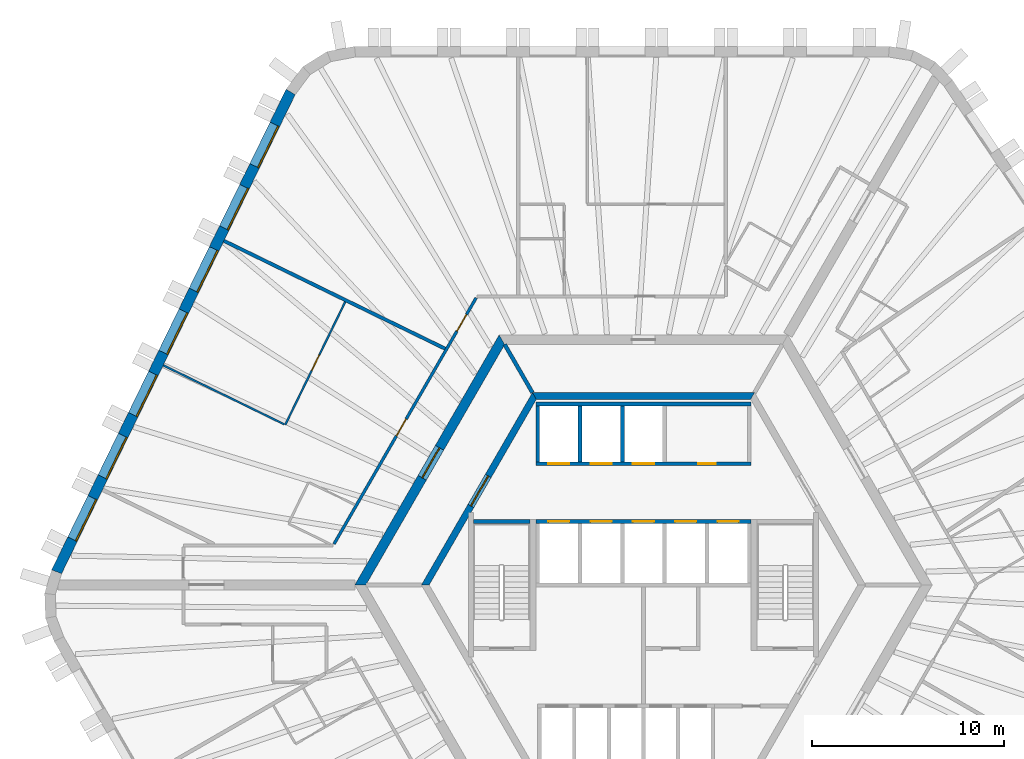
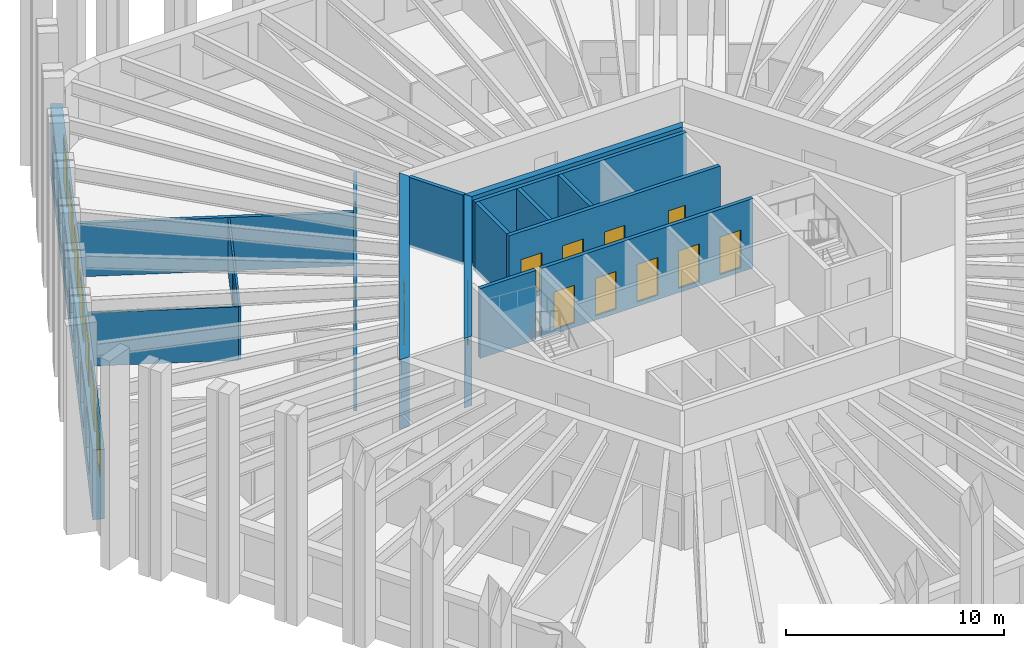
# One storey, part 7 of 10: 16 walls, 14 doors, 7 windows, 21 openings.
"""IFC4 building model written with IfcOpenShell, lengths in metres."""

from ifc_helpers import new_model, si_unit, direction, frame, frame_2d, origin, place, context, subcontext, project, spatial, polyline, rectangle, outline, extrude, material, layer, layer_set, type_object, element, fill, save


model = new_model("IFC4")

# Units and contexts
model_context = context("Model", 3, precision=1e-05, world=origin(), true_north=direction((0.0, 1.0)))
body_context = subcontext(model_context, "Body", "Model", "MODEL_VIEW")
ifc_project = project(units=[si_unit("LENGTHUNIT", "METRE"), si_unit("AREAUNIT", "SQUARE_METRE"), si_unit("VOLUMEUNIT", "CUBIC_METRE"), si_unit("PLANEANGLEUNIT", "RADIAN"), si_unit("MASSUNIT", "GRAM", prefix="KILO")], contexts=[model_context])

# Site, building, storey
site_placement = place(None, origin())
site = spatial("IfcSite", under=ifc_project, at=site_placement, CompositionType="ELEMENT")
building_placement = place(site_placement, origin())
building = spatial("IfcBuilding", under=site, at=building_placement, Name="Tarnside Tower", CompositionType="ELEMENT")
storey_placement = place(building_placement, frame((0.0, 0.0, 195.60009765625)))
storey = spatial("IfcBuildingStorey", under=building, at=storey_placement, Name="L46", CompositionType="ELEMENT", Elevation=195.60009765625)

# Wall, opening, door
ifc_material_1 = material(Name="Concrete C50/60", Category="concrete")
ifc_layer_1 = layer(ifc_material_1, 0.35009765625)
ifc_layer_set_1 = layer_set([ifc_layer_1], Name="Core block wall 350 C50/60")
wall_type_1 = type_object("IfcWallType", Name="Core block wall 350 C50/60", PredefinedType="SHEAR", material=ifc_layer_set_1)
wall_1_placement = place(storey_placement, frame((-5.672607421875, 9.824951171875, -0.150146484375), z_axis=(0.0, 0.0, 1.0), x_axis=(-0.499995046907, -0.866028263435, 0.0)))
wall_1 = element("IfcWall", 1, at=wall_1_placement, inside=storey, type_object=wall_type_1, Name="L46 core block wall face 2", PredefinedType="SHEAR", context=body_context, shape_type="SweptSolid", body=[
    extrude(outline(polyline([(-0.10107421875, -0.175048828125), (11.44580078125, -0.175048828125), (11.24365234375, 0.175048828125), (0.10107421875, 0.175048828125), (-0.10107421875, -0.175048828125)])), origin(), (0.0, 0.0, 1.0), 3.900146484375),
])
opening_1_placement = place(wall_1_placement, frame((4.80126953125, 0.0, 0.14990234375)))
opening_1 = element("IfcOpeningElement", 2, at=opening_1_placement, cuts=wall_1, Name="Opening CD-LOB", PredefinedType="OPENING", context=body_context, shape_type="SweptSolid", body=[
    extrude(rectangle(XDim=1.800048828125, YDim=2.39990234375, at=frame_2d((0.89990234375, 1.199951171875))), frame((0.0, 0.18505859375, 0.0), z_axis=(0.0, -1.0, 0.0), x_axis=(1.0, 0.0, 0.0)), (0.0, 0.0, 1.0), 0.3701171875),
])
ifc_material_2 = material(Name="Steel fire door", Category="steel")
door_type_1 = type_object("IfcDoorType", Name="Lobby double door FD30S 1800x2400", OperationType="NOTDEFINED", PredefinedType="DOOR", material=ifc_material_2)
door_1_placement = place(opening_1_placement, origin())
door_1 = element("IfcDoor", 3, at=door_1_placement, inside=storey, type_object=door_type_1, Name="L46 lobby block door P1", OperationType="DOUBLE_DOOR_SINGLE_SWING", OverallHeight=2.39990234375, OverallWidth=1.800048828125, PredefinedType="DOOR", context=body_context, shape_type="SweptSolid", body=[
    extrude(rectangle(XDim=1.800048828125, YDim=2.39990234375, at=frame_2d((0.89990234375, 1.199951171875))), frame((0.0, 0.02490234375, 0.0), z_axis=(0.0, -1.0, 0.0), x_axis=(1.0, 0.0, 0.0)), (0.0, 0.0, 1.0), 0.050048828125),
])
fill(opening_1, door_1)

# Wall
wall_2_placement = place(storey_placement, frame((5.672607421875, 9.824951171875, -0.150146484375), z_axis=(0.0, 0.0, 1.0), x_axis=(-1.0, 0.0, 0.0)))
element("IfcWall", 4, at=wall_2_placement, inside=storey, type_object=wall_type_1, Name="L46 core block wall face 1", PredefinedType="SHEAR", context=body_context, shape_type="SweptSolid", body=[
    extrude(outline(polyline([(-0.10107421875, -0.175048828125), (11.4462890625, -0.175048828125), (11.244140625, 0.175048828125), (0.10107421875, 0.175048828125), (-0.10107421875, -0.175048828125)])), origin(), (0.0, 0.0, 1.0), 3.900146484375),
])

# Wall, opening, door
ifc_material_3 = material(Name="Concrete C70/85", Category="concrete")
ifc_layer_2 = layer(ifc_material_3, 0.5)
ifc_layer_set_2 = layer_set([ifc_layer_2], Name="Core wall Z2 500 C70/85")
wall_type_2 = type_object("IfcWallType", Name="Core wall Z2 500 C70/85", PredefinedType="SHEAR", material=ifc_layer_set_2)
wall_3_placement = place(storey_placement, frame((-7.361083984375, 12.75, -0.150146484375), z_axis=(0.0, 0.0, 1.0), x_axis=(-0.50000571537, -0.866022103989, 0.0)))
wall_3 = element("IfcWall", 5, at=wall_3_placement, inside=storey, type_object=wall_type_2, Name="L46 core wall face 2", PredefinedType="SHEAR", context=body_context, shape_type="SweptSolid", body=[
    extrude(outline(polyline([(-0.144287109375, -0.25), (14.86669921875, -0.25), (14.578125, 0.25), (0.144287109375, 0.25), (-0.144287109375, -0.25)])), origin(), (0.0, 0.0, 1.0), 3.900146484375),
])
opening_2_placement = place(wall_3_placement, frame((6.489990234375, 0.0, 0.14990234375)))
opening_2 = element("IfcOpeningElement", 6, at=opening_2_placement, cuts=wall_3, Name="Opening CD-LOB", PredefinedType="OPENING", context=body_context, shape_type="SweptSolid", body=[
    extrude(rectangle(XDim=1.800048828125, YDim=2.39990234375, at=frame_2d((0.89990234375, 1.199951171875))), frame((0.0, 0.260009765625, 0.0), z_axis=(0.0, -1.0, 0.0), x_axis=(1.0, 0.0, 0.0)), (0.0, 0.0, 1.0), 0.52001953125),
])
door_2_placement = place(opening_2_placement, origin())
door_2 = element("IfcDoor", 7, at=door_2_placement, inside=storey, type_object=door_type_1, Name="L46 core door P1", OperationType="DOUBLE_DOOR_SINGLE_SWING", OverallHeight=2.39990234375, OverallWidth=1.800048828125, PredefinedType="DOOR", context=body_context, shape_type="SweptSolid", body=[
    extrude(rectangle(XDim=1.800048828125, YDim=2.39990234375, at=frame_2d((0.89990234375, 1.199951171875))), frame((0.0, 0.02490234375, 0.0), z_axis=(0.0, -1.0, 0.0), x_axis=(1.0, 0.0, 0.0)), (0.0, 0.0, 1.0), 0.050048828125),
])
fill(opening_2, door_2)

# Wall, openings, doors
ifc_material_4 = material(Name="Gypsum board partition on steel studs", Category="steel")
ifc_layer_3 = layer(ifc_material_4, 0.14990234375)
ifc_layer_set_3 = layer_set([ifc_layer_3], Name="Corridor wall 150 EI 60")
wall_type_3 = type_object("IfcWallType", Name="Corridor wall 150 EI 60", PredefinedType="PARTITIONING", material=ifc_layer_set_3)
wall_4_placement = place(storey_placement, frame((-8.70361328125, 14.925048828125, 0.0), z_axis=(0.0, 0.0, 1.0), x_axis=(-0.500001272756, -0.866024668957, 0.0)))
wall_4 = element("IfcWall", 8, at=wall_4_placement, inside=storey, type_object=wall_type_3, Name="Corridor wall 15009", PredefinedType="PARTITIONING", context=body_context, shape_type="SweptSolid", body=[
    extrude(rectangle(XDim=14.7802734375, YDim=0.14990234375, at=frame_2d((7.39013671875, 0.0))), origin(), (0.0, 0.0, 1.0), 2.98779296875),
])
opening_3_placement = place(wall_4_placement, frame((1.0009765625, 0.0, 0.0)))
opening_3 = element("IfcOpeningElement", 9, at=opening_3_placement, cuts=wall_4, Name="Opening D-E1", PredefinedType="OPENING", context=body_context, shape_type="SweptSolid", body=[
    extrude(rectangle(XDim=1.0, YDim=2.10009765625, at=frame_2d((0.5, 1.050048828125))), frame((0.0, 0.0849609375, 0.0), z_axis=(0.0, -1.0, 0.0), x_axis=(1.0, 0.0, 0.0)), (0.0, 0.0, 1.0), 0.169921875),
])
opening_4_placement = place(wall_4_placement, frame((7.28076171875, 0.0, 0.0)))
opening_4 = element("IfcOpeningElement", 10, at=opening_4_placement, cuts=wall_4, Name="Opening D-E1", PredefinedType="OPENING", context=body_context, shape_type="SweptSolid", body=[
    extrude(rectangle(XDim=1.0, YDim=2.10009765625, at=frame_2d((0.5, 1.050048828125))), frame((0.0, 0.0849609375, 0.0), z_axis=(0.0, -1.0, 0.0), x_axis=(1.0, 0.0, 0.0)), (0.0, 0.0, 1.0), 0.169921875),
])
ifc_material_5 = material(Name="Timber door leaf", Category="wood")
door_type_2 = type_object("IfcDoorType", Name="Unit entrance door 1000 FD30S", OperationType="NOTDEFINED", PredefinedType="DOOR", material=ifc_material_5)
door_3_placement = place(opening_3_placement, origin())
door_3 = element("IfcDoor", 11, at=door_3_placement, inside=storey, type_object=door_type_2, Name="Unit door 15007", OperationType="SINGLE_SWING_RIGHT", OverallHeight=2.10009765625, OverallWidth=1.0, PredefinedType="DOOR", context=body_context, shape_type="SweptSolid", body=[
    extrude(rectangle(XDim=1.0, YDim=2.10009765625, at=frame_2d((0.5, 1.050048828125))), frame((0.0, 0.02490234375, 0.0), z_axis=(0.0, -1.0, 0.0), x_axis=(1.0, 0.0, 0.0)), (0.0, 0.0, 1.0), 0.050048828125),
])
fill(opening_3, door_3)
door_4_placement = place(opening_4_placement, origin())
door_4 = element("IfcDoor", 12, at=door_4_placement, inside=storey, type_object=door_type_2, Name="Unit door 15008", OperationType="SINGLE_SWING_RIGHT", OverallHeight=2.10009765625, OverallWidth=1.0, PredefinedType="DOOR", context=body_context, shape_type="SweptSolid", body=[
    extrude(rectangle(XDim=1.0, YDim=2.10009765625, at=frame_2d((0.5, 1.050048828125))), frame((0.0, 0.02490234375, 0.0), z_axis=(0.0, -1.0, 0.0), x_axis=(1.0, 0.0, 0.0)), (0.0, 0.0, 1.0), 0.050048828125),
])
fill(opening_4, door_4)

# Wall
ifc_layer_4 = layer(ifc_material_4, 0.179931640625)
ifc_layer_set_4 = layer_set([ifc_layer_4], Name="Demising wall 180 EI 60")
wall_type_4 = type_object("IfcWallType", Name="Demising wall 180 EI 60", PredefinedType="PARTITIONING", material=ifc_layer_set_4)
wall_5_placement = place(storey_placement, frame((-21.814697265625, 17.8916015625, 0.0), z_axis=(0.0, 0.0, 1.0), x_axis=(0.898799253997, -0.438360469265, 0.0)))
element("IfcWall", 13, at=wall_5_placement, inside=storey, type_object=wall_type_4, Name="Demising wall 15063", PredefinedType="PARTITIONING", context=body_context, shape_type="SweptSolid", body=[
    extrude(rectangle(XDim=12.7939453125, YDim=0.179931640625, at=frame_2d((6.39697265625, 0.0))), origin(), (0.0, 0.0, 1.0), 2.98779296875),
])

# Wall, openings, doors
ifc_material_6 = material(Name="Concrete C40/50", Category="concrete")
ifc_layer_5 = layer(ifc_material_6, 0.199951171875)
ifc_layer_set_5 = layer_set([ifc_layer_5], Name="Lift shaft wall 200 C40/50")
wall_type_5 = type_object("IfcWallType", Name="Lift shaft wall 200 C40/50", PredefinedType="SHEAR", material=ifc_layer_set_5)
wall_6_placement = place(storey_placement, frame((-5.60009765625, 6.300048828125, -0.25), z_axis=(0.0, 0.0, 1.0), x_axis=(1.0, 0.0, 0.0)))
wall_6 = element("IfcWall", 14, at=wall_6_placement, inside=storey, type_object=wall_type_5, Name="L46 lift shaft front wall R1", PredefinedType="SHEAR", context=body_context, shape_type="SweptSolid", body=[
    extrude(rectangle(XDim=11.2001953125, YDim=0.199951171875, at=frame_2d((5.60009765625, 0.0))), origin(), (0.0, 0.0, 1.0), 3.89990234375),
])
opening_5_placement = place(wall_6_placement, frame((8.449951171875, 0.0, 0.25)))
opening_5 = element("IfcOpeningElement", 15, at=opening_5_placement, cuts=wall_6, Name="Opening CD-room", PredefinedType="OPENING", context=body_context, shape_type="SweptSolid", body=[
    extrude(rectangle(XDim=0.89990234375, YDim=2.10009765625, at=frame_2d((0.449951171875, 1.050048828125))), frame((0.0, 0.10986328125, 0.0), z_axis=(0.0, -1.0, 0.0), x_axis=(1.0, 0.0, 0.0)), (0.0, 0.0, 1.0), 0.219970703125),
])
opening_6_placement = place(wall_6_placement, frame((0.64990234375, 0.0, 0.25)))
opening_6 = element("IfcOpeningElement", 16, at=opening_6_placement, cuts=wall_6, Name="Opening LD", PredefinedType="OPENING", context=body_context, shape_type="SweptSolid", body=[
    extrude(rectangle(XDim=1.10009765625, YDim=2.10009765625, at=frame_2d((0.550048828125, 1.050048828125))), frame((0.0, 0.10986328125, 0.0), z_axis=(0.0, -1.0, 0.0), x_axis=(1.0, 0.0, 0.0)), (0.0, 0.0, 1.0), 0.219970703125),
])
opening_7_placement = place(wall_6_placement, frame((2.85009765625, 0.0, 0.25)))
opening_7 = element("IfcOpeningElement", 17, at=opening_7_placement, cuts=wall_6, Name="Opening LD", PredefinedType="OPENING", context=body_context, shape_type="SweptSolid", body=[
    extrude(rectangle(XDim=1.10009765625, YDim=2.10009765625, at=frame_2d((0.550048828125, 1.050048828125))), frame((0.0, 0.10986328125, 0.0), z_axis=(0.0, -1.0, 0.0), x_axis=(1.0, 0.0, 0.0)), (0.0, 0.0, 1.0), 0.219970703125),
])
opening_8_placement = place(wall_6_placement, frame((5.050048828125, 0.0, 0.25)))
opening_8 = element("IfcOpeningElement", 18, at=opening_8_placement, cuts=wall_6, Name="Opening LD", PredefinedType="OPENING", context=body_context, shape_type="SweptSolid", body=[
    extrude(rectangle(XDim=1.10009765625, YDim=2.10009765625, at=frame_2d((0.550048828125, 1.050048828125))), frame((0.0, 0.10986328125, 0.0), z_axis=(0.0, -1.0, 0.0), x_axis=(1.0, 0.0, 0.0)), (0.0, 0.0, 1.0), 0.219970703125),
])
ifc_material_7 = material(Name="Stainless steel", Category="steel")
door_type_3 = type_object("IfcDoorType", Name="Lift landing door 1100x2100", OperationType="NOTDEFINED", PredefinedType="DOOR", material=ifc_material_7)
door_5_placement = place(opening_6_placement, origin())
door_5 = element("IfcDoor", 19, at=door_5_placement, inside=storey, type_object=door_type_3, Name="Mid-rise lift 1 landing door L46", OperationType="SLIDING_TO_LEFT", OverallHeight=2.10009765625, OverallWidth=1.10009765625, PredefinedType="DOOR", context=body_context, shape_type="SweptSolid", body=[
    extrude(rectangle(XDim=1.10009765625, YDim=2.10009765625, at=frame_2d((0.550048828125, 1.050048828125))), frame((0.0, 0.02490234375, 0.0), z_axis=(0.0, -1.0, 0.0), x_axis=(1.0, 0.0, 0.0)), (0.0, 0.0, 1.0), 0.050048828125),
])
fill(opening_6, door_5)
door_6_placement = place(opening_7_placement, origin())
door_6 = element("IfcDoor", 20, at=door_6_placement, inside=storey, type_object=door_type_3, Name="Mid-rise lift 2 landing door L46", OperationType="SLIDING_TO_LEFT", OverallHeight=2.10009765625, OverallWidth=1.10009765625, PredefinedType="DOOR", context=body_context, shape_type="SweptSolid", body=[
    extrude(rectangle(XDim=1.10009765625, YDim=2.10009765625, at=frame_2d((0.550048828125, 1.050048828125))), frame((0.0, 0.02490234375, 0.0), z_axis=(0.0, -1.0, 0.0), x_axis=(1.0, 0.0, 0.0)), (0.0, 0.0, 1.0), 0.050048828125),
])
fill(opening_7, door_6)
door_7_placement = place(opening_8_placement, origin())
door_7 = element("IfcDoor", 21, at=door_7_placement, inside=storey, type_object=door_type_3, Name="Mid-rise lift 3 landing door L46", OperationType="SLIDING_TO_LEFT", OverallHeight=2.10009765625, OverallWidth=1.10009765625, PredefinedType="DOOR", context=body_context, shape_type="SweptSolid", body=[
    extrude(rectangle(XDim=1.10009765625, YDim=2.10009765625, at=frame_2d((0.550048828125, 1.050048828125))), frame((0.0, 0.02490234375, 0.0), z_axis=(0.0, -1.0, 0.0), x_axis=(1.0, 0.0, 0.0)), (0.0, 0.0, 1.0), 0.050048828125),
])
fill(opening_8, door_7)
door_type_4 = type_object("IfcDoorType", Name="Room door FD60 900x2100", OperationType="NOTDEFINED", PredefinedType="DOOR", material=ifc_material_2)
door_8_placement = place(opening_5_placement, origin())
door_8 = element("IfcDoor", 22, at=door_8_placement, inside=storey, type_object=door_type_4, Name="L46 core room door FC1", OperationType="SINGLE_SWING_LEFT", OverallHeight=2.10009765625, OverallWidth=0.89990234375, PredefinedType="DOOR", context=body_context, shape_type="SweptSolid", body=[
    extrude(rectangle(XDim=0.89990234375, YDim=2.10009765625, at=frame_2d((0.449951171875, 1.050048828125))), frame((0.0, 0.02490234375, 0.0), z_axis=(0.0, -1.0, 0.0), x_axis=(1.0, 0.0, 0.0)), (0.0, 0.0, 1.0), 0.050048828125),
])
fill(opening_5, door_8)

# Walls
wall_7_placement = place(storey_placement, frame((-5.60009765625, 9.39990234375, -0.25), z_axis=(0.0, 0.0, 1.0), x_axis=(1.0, 0.0, 0.0)))
element("IfcWall", 23, at=wall_7_placement, inside=storey, type_object=wall_type_5, Name="L46 lift shaft back wall R1", PredefinedType="SHEAR", context=body_context, shape_type="SweptSolid", body=[
    extrude(rectangle(XDim=11.2001953125, YDim=0.199951171875, at=frame_2d((5.60009765625, 0.0))), origin(), (0.0, 0.0, 1.0), 3.89990234375),
])
for number, where, z_axis, x_axis, name in (
    (24, (-5.5, 6.39990234375, -0.25), (0.0, 0.0, 1.0), (0.0, 1.0, 0.0), "L46 lift shaft partition R11"),
    (25, (-3.300048828125, 6.39990234375, -0.25), (0.0, 0.0, 1.0), (0.0, 1.0, 0.0), "L46 lift shaft partition R12"),
    (26, (-1.10009765625, 6.39990234375, -0.25), (0.0, 0.0, 1.0), (0.0, 1.0, 0.0), "L46 lift shaft partition R13"),
):
    element("IfcWall", number, at=place(storey_placement, frame(where, z_axis=z_axis, x_axis=x_axis)), inside=storey, type_object=wall_type_5, Name=name, PredefinedType="SHEAR", context=body_context, shape_type="SweptSolid", body=[
        extrude(rectangle(XDim=2.900146484375, YDim=0.199951171875, at=frame_2d((1.4501953125, 0.0))), origin(), (0.0, 0.0, 1.0), 3.89990234375),
    ])

# Wall, openings, doors
wall_8_placement = place(storey_placement, frame((-5.60009765625, 3.300048828125, -0.25), z_axis=(0.0, 0.0, 1.0), x_axis=(1.0, 0.0, 0.0)))
wall_8 = element("IfcWall", 27, at=wall_8_placement, inside=storey, type_object=wall_type_5, Name="L46 lift shaft front wall R2", PredefinedType="SHEAR", context=body_context, shape_type="SweptSolid", body=[
    extrude(rectangle(XDim=11.2001953125, YDim=0.199951171875, at=frame_2d((5.60009765625, 0.0))), origin(), (0.0, 0.0, 1.0), 3.89990234375),
])
opening_9_placement = place(wall_8_placement, frame((0.64990234375, 0.0, 0.25)))
opening_9 = element("IfcOpeningElement", 28, at=opening_9_placement, cuts=wall_8, Name="Opening LD", PredefinedType="OPENING", context=body_context, shape_type="SweptSolid", body=[
    extrude(rectangle(XDim=1.10009765625, YDim=2.10009765625, at=frame_2d((0.550048828125, 1.050048828125))), frame((0.0, 0.10986328125, 0.0), z_axis=(0.0, -1.0, 0.0), x_axis=(1.0, 0.0, 0.0)), (0.0, 0.0, 1.0), 0.219970703125),
])
opening_10_placement = place(wall_8_placement, frame((2.85009765625, 0.0, 0.25)))
opening_10 = element("IfcOpeningElement", 29, at=opening_10_placement, cuts=wall_8, Name="Opening LD", PredefinedType="OPENING", context=body_context, shape_type="SweptSolid", body=[
    extrude(rectangle(XDim=1.10009765625, YDim=2.10009765625, at=frame_2d((0.550048828125, 1.050048828125))), frame((0.0, 0.10986328125, 0.0), z_axis=(0.0, -1.0, 0.0), x_axis=(1.0, 0.0, 0.0)), (0.0, 0.0, 1.0), 0.219970703125),
])
opening_11_placement = place(wall_8_placement, frame((5.050048828125, 0.0, 0.25)))
opening_11 = element("IfcOpeningElement", 30, at=opening_11_placement, cuts=wall_8, Name="Opening LD", PredefinedType="OPENING", context=body_context, shape_type="SweptSolid", body=[
    extrude(rectangle(XDim=1.10009765625, YDim=2.10009765625, at=frame_2d((0.550048828125, 1.050048828125))), frame((0.0, 0.10986328125, 0.0), z_axis=(0.0, -1.0, 0.0), x_axis=(1.0, 0.0, 0.0)), (0.0, 0.0, 1.0), 0.219970703125),
])
opening_12_placement = place(wall_8_placement, frame((7.25, 0.0, 0.25)))
opening_12 = element("IfcOpeningElement", 31, at=opening_12_placement, cuts=wall_8, Name="Opening LD", PredefinedType="OPENING", context=body_context, shape_type="SweptSolid", body=[
    extrude(rectangle(XDim=1.10009765625, YDim=2.10009765625, at=frame_2d((0.550048828125, 1.050048828125))), frame((0.0, 0.10986328125, 0.0), z_axis=(0.0, -1.0, 0.0), x_axis=(1.0, 0.0, 0.0)), (0.0, 0.0, 1.0), 0.219970703125),
])
opening_13_placement = place(wall_8_placement, frame((9.449951171875, 0.0, 0.25)))
opening_13 = element("IfcOpeningElement", 32, at=opening_13_placement, cuts=wall_8, Name="Opening LD", PredefinedType="OPENING", context=body_context, shape_type="SweptSolid", body=[
    extrude(rectangle(XDim=1.10009765625, YDim=2.10009765625, at=frame_2d((0.550048828125, 1.050048828125))), frame((0.0, 0.10986328125, 0.0), z_axis=(0.0, -1.0, 0.0), x_axis=(1.0, 0.0, 0.0)), (0.0, 0.0, 1.0), 0.219970703125),
])
door_9_placement = place(opening_9_placement, origin())
door_9 = element("IfcDoor", 33, at=door_9_placement, inside=storey, type_object=door_type_3, Name="Mid-rise lift 4 landing door L46", OperationType="SLIDING_TO_LEFT", OverallHeight=2.10009765625, OverallWidth=1.10009765625, PredefinedType="DOOR", context=body_context, shape_type="SweptSolid", body=[
    extrude(rectangle(XDim=1.10009765625, YDim=2.10009765625, at=frame_2d((0.550048828125, 1.050048828125))), frame((0.0, 0.02490234375, 0.0), z_axis=(0.0, -1.0, 0.0), x_axis=(1.0, 0.0, 0.0)), (0.0, 0.0, 1.0), 0.050048828125),
])
fill(opening_9, door_9)
door_10_placement = place(opening_10_placement, origin())
door_10 = element("IfcDoor", 34, at=door_10_placement, inside=storey, type_object=door_type_3, Name="Mid-rise lift 5 landing door L46", OperationType="SLIDING_TO_LEFT", OverallHeight=2.10009765625, OverallWidth=1.10009765625, PredefinedType="DOOR", context=body_context, shape_type="SweptSolid", body=[
    extrude(rectangle(XDim=1.10009765625, YDim=2.10009765625, at=frame_2d((0.550048828125, 1.050048828125))), frame((0.0, 0.02490234375, 0.0), z_axis=(0.0, -1.0, 0.0), x_axis=(1.0, 0.0, 0.0)), (0.0, 0.0, 1.0), 0.050048828125),
])
fill(opening_10, door_10)
door_11_placement = place(opening_11_placement, origin())
door_11 = element("IfcDoor", 35, at=door_11_placement, inside=storey, type_object=door_type_3, Name="Mid-rise lift 6 landing door L46", OperationType="SLIDING_TO_LEFT", OverallHeight=2.10009765625, OverallWidth=1.10009765625, PredefinedType="DOOR", context=body_context, shape_type="SweptSolid", body=[
    extrude(rectangle(XDim=1.10009765625, YDim=2.10009765625, at=frame_2d((0.550048828125, 1.050048828125))), frame((0.0, 0.02490234375, 0.0), z_axis=(0.0, -1.0, 0.0), x_axis=(1.0, 0.0, 0.0)), (0.0, 0.0, 1.0), 0.050048828125),
])
fill(opening_11, door_11)
door_12_placement = place(opening_12_placement, origin())
door_12 = element("IfcDoor", 36, at=door_12_placement, inside=storey, type_object=door_type_3, Name="High sky-lobby shuttle 1 landing door L46", OperationType="SLIDING_TO_LEFT", OverallHeight=2.10009765625, OverallWidth=1.10009765625, PredefinedType="DOOR", context=body_context, shape_type="SweptSolid", body=[
    extrude(rectangle(XDim=1.10009765625, YDim=2.10009765625, at=frame_2d((0.550048828125, 1.050048828125))), frame((0.0, 0.02490234375, 0.0), z_axis=(0.0, -1.0, 0.0), x_axis=(1.0, 0.0, 0.0)), (0.0, 0.0, 1.0), 0.050048828125),
])
fill(opening_12, door_12)
door_13_placement = place(opening_13_placement, origin())
door_13 = element("IfcDoor", 37, at=door_13_placement, inside=storey, type_object=door_type_3, Name="Express sky-lobby shuttle 2 landing door L46", OperationType="SLIDING_TO_LEFT", OverallHeight=2.10009765625, OverallWidth=1.10009765625, PredefinedType="DOOR", context=body_context, shape_type="SweptSolid", body=[
    extrude(rectangle(XDim=1.10009765625, YDim=2.10009765625, at=frame_2d((0.550048828125, 1.050048828125))), frame((0.0, 0.02490234375, 0.0), z_axis=(0.0, -1.0, 0.0), x_axis=(1.0, 0.0, 0.0)), (0.0, 0.0, 1.0), 0.050048828125),
])
fill(opening_13, door_13)

# Walls
wall_9_placement = place(storey_placement, frame((-5.7734375, 10.0, -0.150146484375), z_axis=(0.0, 0.0, 1.0), x_axis=(-0.499995765644, 0.866027848477, 0.0)))
element("IfcWall", 38, at=wall_9_placement, inside=storey, type_object=wall_type_5, Name="L46 core partition AR120", PredefinedType="SHEAR", context=body_context, shape_type="SweptSolid", body=[
    extrude(rectangle(XDim=2.88671875, YDim=0.199951171875, at=frame_2d((1.443359375, 0.0))), origin(), (0.0, 0.0, 1.0), 3.900146484375),
])
wall_10_placement = place(storey_placement, frame((-8.85009765625, 3.300048828125, -0.25), z_axis=(0.0, 0.0, 1.0), x_axis=(1.0, 0.0, 0.0)))
element("IfcWall", 39, at=wall_10_placement, inside=storey, type_object=wall_type_5, Name="L46 stair 2 enclosure cap wall n", PredefinedType="SHEAR", context=body_context, shape_type="SweptSolid", body=[
    extrude(rectangle(XDim=2.9501953125, YDim=0.199951171875, at=frame_2d((1.47509765625, 0.0))), origin(), (0.0, 0.0, 1.0), 3.89990234375),
])

# Wall, opening, door
ifc_layer_6 = layer(ifc_material_4, 0.10009765625)
ifc_layer_set_6 = layer_set([ifc_layer_6], Name="Partition 100")
wall_type_6 = type_object("IfcWallType", Name="Partition 100", PredefinedType="PARTITIONING", material=ifc_layer_set_6)
wall_11_placement = place(storey_placement, frame((-15.510009765625, 14.716552734375, 0.0), z_axis=(0.0, 0.0, 1.0), x_axis=(-0.438387776054, -0.898785935475, 0.0)))
wall_11 = element("IfcWall", 40, at=wall_11_placement, inside=storey, type_object=wall_type_6, Name="Partition wall 15068", PredefinedType="PARTITIONING", context=body_context, shape_type="SweptSolid", body=[
    extrude(rectangle(XDim=7.110107421875, YDim=0.10009765625, at=frame_2d((3.55517578125, 0.0))), origin(), (0.0, 0.0, 1.0), 2.98779296875),
])
opening_14_placement = place(wall_11_placement, frame((3.06005859375, 0.0, 0.0)))
opening_14 = element("IfcOpeningElement", 41, at=opening_14_placement, cuts=wall_11, Name="Opening D-I1", PredefinedType="OPENING", context=body_context, shape_type="SweptSolid", body=[
    extrude(rectangle(XDim=0.89990234375, YDim=2.10009765625, at=frame_2d((0.449951171875, 1.050048828125))), frame((0.0, 0.06005859375, 0.0), z_axis=(0.0, -1.0, 0.0), x_axis=(1.0, 0.0, 0.0)), (0.0, 0.0, 1.0), 0.1201171875),
])
door_type_5 = type_object("IfcDoorType", Name="Internal door 900", OperationType="NOTDEFINED", PredefinedType="DOOR", material=ifc_material_5)
door_14_placement = place(opening_14_placement, origin())
door_14 = element("IfcDoor", 42, at=door_14_placement, inside=storey, type_object=door_type_5, Name="Internal door 15010", OperationType="SINGLE_SWING_RIGHT", OverallHeight=2.10009765625, OverallWidth=0.89990234375, PredefinedType="DOOR", context=body_context, shape_type="SweptSolid", body=[
    extrude(rectangle(XDim=0.89990234375, YDim=2.10009765625, at=frame_2d((0.449951171875, 1.050048828125))), frame((0.0, 0.02490234375, 0.0), z_axis=(0.0, -1.0, 0.0), x_axis=(1.0, 0.0, 0.0)), (0.0, 0.0, 1.0), 0.050048828125),
])
fill(opening_14, door_14)

# Wall
wall_12_placement = place(storey_placement, frame((-18.671875, 8.347900390625, 0.0), z_axis=(0.0, 0.0, 1.0), x_axis=(-0.898793888698, 0.438371469919, 0.0)))
element("IfcWall", 43, at=wall_12_placement, inside=storey, type_object=wall_type_6, Name="Partition wall 15069", PredefinedType="PARTITIONING", context=body_context, shape_type="SweptSolid", body=[
    extrude(rectangle(XDim=7.00830078125, YDim=0.10009765625, at=frame_2d((3.504150390625, 0.0))), origin(), (0.0, 0.0, 1.0), 2.98779296875),
])

# Wall, openings, windows
ifc_material_8 = material(Name="Facing brick", Category="masonry")
ifc_layer_7 = layer(ifc_material_8, 0.10205078125)
ifc_material_9 = material(Name="Concrete C60/75 precast", Category="concrete")
ifc_layer_8 = layer(ifc_material_9, 0.347900390625)
ifc_material_10 = material(Name="Mineral wool insulation")
ifc_layer_9 = layer(ifc_material_10, 0.10009765625)
ifc_layer_set_7 = layer_set([ifc_layer_7, ifc_layer_8, ifc_layer_9], Name="Tube wall 550 brick faced")
wall_type_7 = type_object("IfcWallType", Name="Tube wall 550 brick faced", PredefinedType="SOLIDWALL", material=ifc_layer_set_7)
wall_13_placement = place(storey_placement, frame((-18.344970703125, 25.6328125, -0.150146484375), z_axis=(0.0, 0.0, 1.0), x_axis=(-0.43837181828, -0.898793718791, 0.0)))
wall_13 = element("IfcWall", 44, at=wall_13_placement, inside=storey, type_object=wall_type_7, Name="Tube wall L46 F2 flush 04", PredefinedType="SOLIDWALL", context=body_context, shape_type="SweptSolid", body=[
    extrude(outline(polyline([(-0.025634765625, -0.27490234375), (27.7802734375, -0.27490234375), (27.7353515625, 0.27490234375), (0.025634765625, 0.27490234375), (-0.025634765625, -0.27490234375)])), origin(), (0.0, 0.0, 1.0), 3.900146484375),
])
opening_15_placement = place(wall_13_placement, frame((1.87890625, 0.0, 1.050048828125)))
opening_15 = element("IfcOpeningElement", 45, at=opening_15_placement, cuts=wall_13, Name="Opening WH", PredefinedType="OPENING", context=body_context, shape_type="SweptSolid", body=[
    extrude(rectangle(XDim=2.39990234375, YDim=2.39990234375, at=frame_2d((1.199951171875, 1.199951171875))), frame((0.0, 0.28515625, 0.0), z_axis=(0.0, -1.0, 0.0), x_axis=(1.0, 0.0, 0.0)), (0.0, 0.0, 1.0), 0.570068359375),
])
opening_16_placement = place(wall_13_placement, frame((5.47900390625, 0.0, 1.050048828125)))
opening_16 = element("IfcOpeningElement", 46, at=opening_16_placement, cuts=wall_13, Name="Opening WH", PredefinedType="OPENING", context=body_context, shape_type="SweptSolid", body=[
    extrude(rectangle(XDim=2.39990234375, YDim=2.39990234375, at=frame_2d((1.199951171875, 1.199951171875))), frame((0.0, 0.28515625, 0.0), z_axis=(0.0, -1.0, 0.0), x_axis=(1.0, 0.0, 0.0)), (0.0, 0.0, 1.0), 0.570068359375),
])
opening_17_placement = place(wall_13_placement, frame((9.078857421875, 0.0, 1.050048828125)))
opening_17 = element("IfcOpeningElement", 47, at=opening_17_placement, cuts=wall_13, Name="Opening WH", PredefinedType="OPENING", context=body_context, shape_type="SweptSolid", body=[
    extrude(rectangle(XDim=2.39990234375, YDim=2.39990234375, at=frame_2d((1.199951171875, 1.199951171875))), frame((0.0, 0.28515625, 0.0), z_axis=(0.0, -1.0, 0.0), x_axis=(1.0, 0.0, 0.0)), (0.0, 0.0, 1.0), 0.570068359375),
])
opening_18_placement = place(wall_13_placement, frame((12.678955078125, 0.0, 1.050048828125)))
opening_18 = element("IfcOpeningElement", 48, at=opening_18_placement, cuts=wall_13, Name="Opening WH", PredefinedType="OPENING", context=body_context, shape_type="SweptSolid", body=[
    extrude(rectangle(XDim=2.39990234375, YDim=2.39990234375, at=frame_2d((1.199951171875, 1.199951171875))), frame((0.0, 0.28515625, 0.0), z_axis=(0.0, -1.0, 0.0), x_axis=(1.0, 0.0, 0.0)), (0.0, 0.0, 1.0), 0.570068359375),
])
opening_19_placement = place(wall_13_placement, frame((16.27880859375, 0.0, 1.050048828125)))
opening_19 = element("IfcOpeningElement", 49, at=opening_19_placement, cuts=wall_13, Name="Opening WH", PredefinedType="OPENING", context=body_context, shape_type="SweptSolid", body=[
    extrude(rectangle(XDim=2.39990234375, YDim=2.39990234375, at=frame_2d((1.199951171875, 1.199951171875))), frame((0.0, 0.28515625, 0.0), z_axis=(0.0, -1.0, 0.0), x_axis=(1.0, 0.0, 0.0)), (0.0, 0.0, 1.0), 0.570068359375),
])
opening_20_placement = place(wall_13_placement, frame((19.87890625, 0.0, 1.050048828125)))
opening_20 = element("IfcOpeningElement", 50, at=opening_20_placement, cuts=wall_13, Name="Opening WH", PredefinedType="OPENING", context=body_context, shape_type="SweptSolid", body=[
    extrude(rectangle(XDim=2.39990234375, YDim=2.39990234375, at=frame_2d((1.199951171875, 1.199951171875))), frame((0.0, 0.28515625, 0.0), z_axis=(0.0, -1.0, 0.0), x_axis=(1.0, 0.0, 0.0)), (0.0, 0.0, 1.0), 0.570068359375),
])
opening_21_placement = place(wall_13_placement, frame((23.47900390625, 0.0, 1.050048828125)))
opening_21 = element("IfcOpeningElement", 51, at=opening_21_placement, cuts=wall_13, Name="Opening WH", PredefinedType="OPENING", context=body_context, shape_type="SweptSolid", body=[
    extrude(rectangle(XDim=2.39990234375, YDim=2.39990234375, at=frame_2d((1.199951171875, 1.199951171875))), frame((0.0, 0.28515625, 0.0), z_axis=(0.0, -1.0, 0.0), x_axis=(1.0, 0.0, 0.0)), (0.0, 0.0, 1.0), 0.570068359375),
])
ifc_material_11 = material(Name="Aluminium-framed double glazing", Category="aluminium")
window_type = type_object("IfcWindowType", Name="Hotel window 2400 x 2400", PartitioningType="DOUBLE_PANEL_VERTICAL", PredefinedType="WINDOW", material=ifc_material_11)
window_1_placement = place(opening_15_placement, frame((0.0, 0.205078125, 0.0)))
window_1 = element("IfcWindow", 52, at=window_1_placement, inside=storey, type_object=window_type, Name="E.WN.L46.F2.00", OverallHeight=2.39990234375, OverallWidth=2.39990234375, PartitioningType="DOUBLE_PANEL_VERTICAL", PredefinedType="WINDOW", context=body_context, shape_type="SweptSolid", body=[
    extrude(rectangle(XDim=2.39990234375, YDim=2.39990234375, at=frame_2d((1.199951171875, 1.199951171875))), frame((0.0, 0.030029296875, 0.0), z_axis=(0.0, -1.0, 0.0), x_axis=(1.0, 0.0, 0.0)), (0.0, 0.0, 1.0), 0.06005859375),
])
fill(opening_15, window_1)
window_2_placement = place(opening_16_placement, frame((0.0, 0.205078125, 0.0)))
window_2 = element("IfcWindow", 53, at=window_2_placement, inside=storey, type_object=window_type, Name="E.WN.L46.F2.01", OverallHeight=2.39990234375, OverallWidth=2.39990234375, PartitioningType="DOUBLE_PANEL_VERTICAL", PredefinedType="WINDOW", context=body_context, shape_type="SweptSolid", body=[
    extrude(rectangle(XDim=2.39990234375, YDim=2.39990234375, at=frame_2d((1.199951171875, 1.199951171875))), frame((0.0, 0.030029296875, 0.0), z_axis=(0.0, -1.0, 0.0), x_axis=(1.0, 0.0, 0.0)), (0.0, 0.0, 1.0), 0.06005859375),
])
fill(opening_16, window_2)
window_3_placement = place(opening_17_placement, frame((0.0, 0.205078125, 0.0)))
window_3 = element("IfcWindow", 54, at=window_3_placement, inside=storey, type_object=window_type, Name="E.WN.L46.F2.02", OverallHeight=2.39990234375, OverallWidth=2.39990234375, PartitioningType="DOUBLE_PANEL_VERTICAL", PredefinedType="WINDOW", context=body_context, shape_type="SweptSolid", body=[
    extrude(rectangle(XDim=2.39990234375, YDim=2.39990234375, at=frame_2d((1.199951171875, 1.199951171875))), frame((0.0, 0.030029296875, 0.0), z_axis=(0.0, -1.0, 0.0), x_axis=(1.0, 0.0, 0.0)), (0.0, 0.0, 1.0), 0.06005859375),
])
fill(opening_17, window_3)
window_4_placement = place(opening_18_placement, frame((0.0, 0.205078125, 0.0)))
window_4 = element("IfcWindow", 55, at=window_4_placement, inside=storey, type_object=window_type, Name="E.WN.L46.F2.03", OverallHeight=2.39990234375, OverallWidth=2.39990234375, PartitioningType="DOUBLE_PANEL_VERTICAL", PredefinedType="WINDOW", context=body_context, shape_type="SweptSolid", body=[
    extrude(rectangle(XDim=2.39990234375, YDim=2.39990234375, at=frame_2d((1.199951171875, 1.199951171875))), frame((0.0, 0.030029296875, 0.0), z_axis=(0.0, -1.0, 0.0), x_axis=(1.0, 0.0, 0.0)), (0.0, 0.0, 1.0), 0.06005859375),
])
fill(opening_18, window_4)
window_5_placement = place(opening_19_placement, frame((0.0, 0.205078125, 0.0)))
window_5 = element("IfcWindow", 56, at=window_5_placement, inside=storey, type_object=window_type, Name="E.WN.L46.F2.04", OverallHeight=2.39990234375, OverallWidth=2.39990234375, PartitioningType="DOUBLE_PANEL_VERTICAL", PredefinedType="WINDOW", context=body_context, shape_type="SweptSolid", body=[
    extrude(rectangle(XDim=2.39990234375, YDim=2.39990234375, at=frame_2d((1.199951171875, 1.199951171875))), frame((0.0, 0.030029296875, 0.0), z_axis=(0.0, -1.0, 0.0), x_axis=(1.0, 0.0, 0.0)), (0.0, 0.0, 1.0), 0.06005859375),
])
fill(opening_19, window_5)
window_6_placement = place(opening_20_placement, frame((0.0, 0.205078125, 0.0)))
window_6 = element("IfcWindow", 57, at=window_6_placement, inside=storey, type_object=window_type, Name="E.WN.L46.F2.05", OverallHeight=2.39990234375, OverallWidth=2.39990234375, PartitioningType="DOUBLE_PANEL_VERTICAL", PredefinedType="WINDOW", context=body_context, shape_type="SweptSolid", body=[
    extrude(rectangle(XDim=2.39990234375, YDim=2.39990234375, at=frame_2d((1.199951171875, 1.199951171875))), frame((0.0, 0.030029296875, 0.0), z_axis=(0.0, -1.0, 0.0), x_axis=(1.0, 0.0, 0.0)), (0.0, 0.0, 1.0), 0.06005859375),
])
fill(opening_20, window_6)
window_7_placement = place(opening_21_placement, frame((0.0, 0.205078125, 0.0)))
window_7 = element("IfcWindow", 58, at=window_7_placement, inside=storey, type_object=window_type, Name="E.WN.L46.F2.06", OverallHeight=2.39990234375, OverallWidth=2.39990234375, PartitioningType="DOUBLE_PANEL_VERTICAL", PredefinedType="WINDOW", context=body_context, shape_type="SweptSolid", body=[
    extrude(rectangle(XDim=2.39990234375, YDim=2.39990234375, at=frame_2d((1.199951171875, 1.199951171875))), frame((0.0, 0.030029296875, 0.0), z_axis=(0.0, -1.0, 0.0), x_axis=(1.0, 0.0, 0.0)), (0.0, 0.0, 1.0), 0.06005859375),
])
fill(opening_21, window_7)

save(model, "model.ifc")
